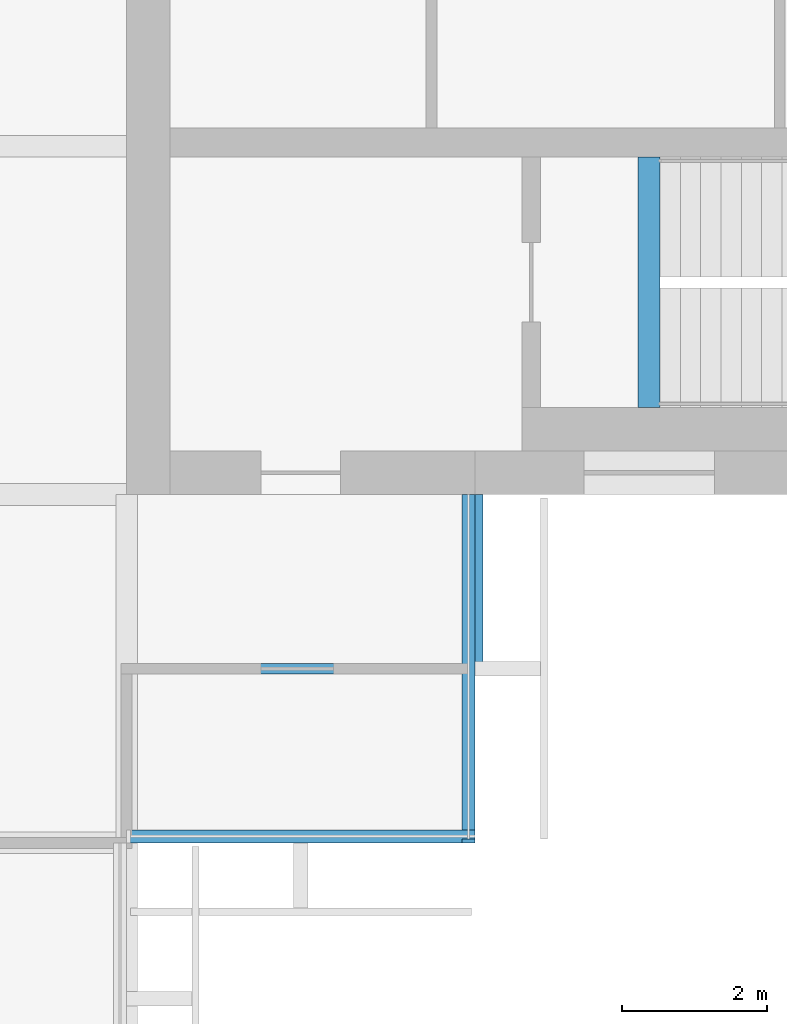
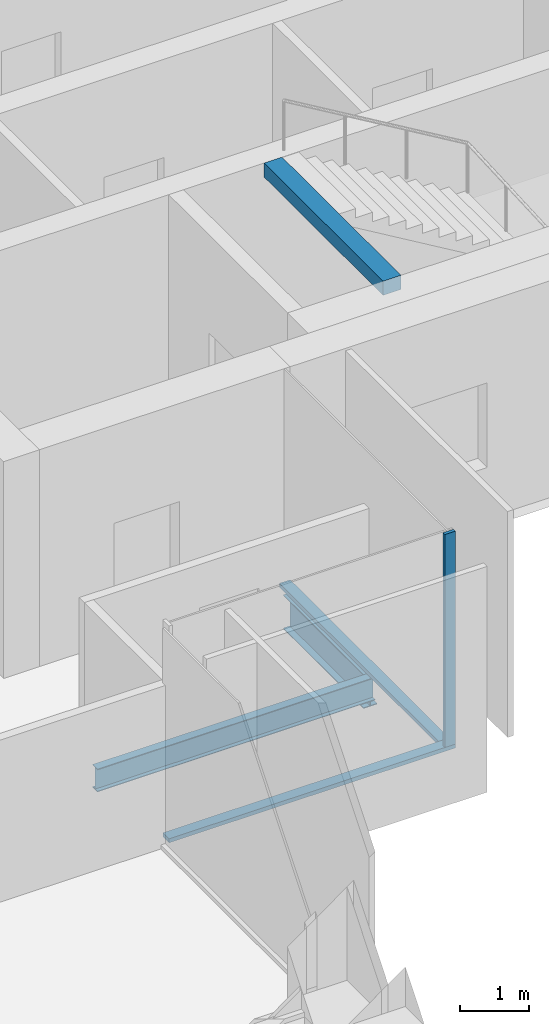
# One storey, part 4 of 12: 3 beams, 3 members, 2 elements without a shape of their own.
"""IFC4 building model written with IfcOpenShell, lengths in metres."""

from ifc_helpers import new_model, si_unit, direction, frame, origin, origin_2d, place, context, subcontext, project, spatial, rectangle, i_section, extrude, material, material_profile, profile_set, type_object, element, aggregate, save


model = new_model("IFC4")

# Units and contexts
model_context = context("Model", 3, precision=1e-05, world=origin(), true_north=direction((0.0, 1.0)))
body_context = subcontext(model_context, "Body", "Model", "MODEL_VIEW")
ifc_project = project(units=[si_unit("LENGTHUNIT", "METRE"), si_unit("AREAUNIT", "SQUARE_METRE"), si_unit("VOLUMEUNIT", "CUBIC_METRE"), si_unit("PLANEANGLEUNIT", "RADIAN"), si_unit("MASSUNIT", "GRAM", prefix="KILO")], contexts=[model_context])

# Site, building, storey
site_placement = place(None, origin())
site = spatial("IfcSite", under=ifc_project, at=site_placement, CompositionType="ELEMENT")
building_placement = place(site_placement, origin())
building = spatial("IfcBuilding", under=site, at=building_placement, Name="Baori Bourse Tower", CompositionType="ELEMENT")
storey_placement = place(building_placement, frame((0.0, 0.0, 306.300048828125)))
storey = spatial("IfcBuildingStorey", under=building, at=storey_placement, Name="L67", CompositionType="ELEMENT", Elevation=306.300048828125)

# Curtain wall, member
ifc_material_1 = material(Name="Pale anodised aluminium", Category="aluminium")
curtain_wall_type = type_object("IfcCurtainWallType", Name="CW2 Curtain wall", PredefinedType="NOTDEFINED", material=ifc_material_1)
curtain_wall_1_placement = place(storey_placement, origin())
curtain_wall_1 = element("IfcCurtainWall", 1, at=curtain_wall_1_placement, inside=storey, type_object=curtain_wall_type, Name="Curtain wall CW2 L67 14", PredefinedType="NOTDEFINED")
ifc_material_2 = material(Name="Pale anodised aluminium", Category="aluminium")
ifc_material_profile_1 = material_profile(ifc_material_2, rectangle(XDim=0.179931640625, YDim=0.054931640625, at=origin_2d()), Name="Mullion 55x180")
ifc_profile_set_1 = profile_set([ifc_material_profile_1], Name="Pale anodised aluminium")
member_type_1 = type_object("IfcMemberType", Name="CW2 Curtain wall mullion", PredefinedType="MULLION", material=ifc_profile_set_1)
member_1_placement = place(storey_placement, frame((43.110107421875, 4.827392578125, 0.070068359375), z_axis=(0.0, 0.0, 1.0), x_axis=(-1.0, 0.0, 0.0)))
member_1 = element("IfcMember", 2, at=member_1_placement, type_object=member_type_1, Name="Curtain wall CW2 mullion", PredefinedType="MULLION", context=body_context, shape_type="SweptSolid", body=[
    extrude(rectangle(XDim=0.179931640625, YDim=0.054931640625, at=origin_2d()), origin(), (0.0, 0.0, 1.0), 3.769775390625),
])

curtain_wall_2_placement = place(storey_placement, origin())
curtain_wall_2 = element("IfcCurtainWall", 3, at=curtain_wall_2_placement, inside=storey, type_object=curtain_wall_type, Name="Curtain wall CW2 L67 13", PredefinedType="NOTDEFINED")
ifc_material_3 = material(Name="Pale anodised aluminium", Category="aluminium")
ifc_material_profile_2 = material_profile(ifc_material_3, rectangle(XDim=0.179931640625, YDim=0.070068359375, at=origin_2d()), Name="Transom 70x180")
ifc_profile_set_2 = profile_set([ifc_material_profile_2], Name="Pale anodised aluminium")
member_type_2 = type_object("IfcMemberType", Name="CW2 Curtain wall transom", PredefinedType="USERDEFINED", material=ifc_profile_set_2)
member_2_placement = place(storey_placement, frame((38.39990234375, 4.889892578125, 0.034912109375), z_axis=(1.0, 0.0, 0.0), x_axis=(0.0, 1.0, 0.0)))
member_2 = element("IfcMember", 4, at=member_2_placement, type_object=member_type_2, Name="Curtain wall CW2 sill rail", ObjectType="TRANSOM", PredefinedType="USERDEFINED", context=body_context, shape_type="SweptSolid", body=[
    extrude(rectangle(XDim=0.179931640625, YDim=0.070068359375, at=origin_2d()), origin(), (0.0, 0.0, 1.0), 4.800048828125),
])
aggregate(curtain_wall_2, [member_2])

# Member
member_3_placement = place(storey_placement, frame((43.110107421875, 4.800048828125, 0.034912109375), z_axis=(0.0, 1.0, 0.0), x_axis=(-1.0, 0.0, 0.0)))
member_3 = element("IfcMember", 5, at=member_3_placement, type_object=member_type_2, Name="Curtain wall CW2 sill rail", ObjectType="TRANSOM", PredefinedType="USERDEFINED", context=body_context, shape_type="SweptSolid", body=[
    extrude(rectangle(XDim=0.179931640625, YDim=0.070068359375, at=origin_2d()), origin(), (0.0, 0.0, 1.0), 4.800048828125),
])

aggregate(curtain_wall_1, [member_3, member_1])

# Beams
ifc_material_4 = material(Name="Steel A992 Gr 50", Category="steel")
ifc_material_profile_3 = material_profile(ifc_material_4, i_section(OverallWidth=0.227783203125, OverallDepth=0.60205078125, WebThickness=0.010498046875, FlangeThickness=0.014892578125, at=origin_2d()), Name="W24x68")
ifc_profile_set_3 = profile_set([ifc_material_profile_3], Name="Steel A992 Gr 50")
beam_type_1 = type_object("IfcBeamType", Name="Core bracket W24x68", PredefinedType="BEAM", material=ifc_profile_set_3)
beam_1_placement = place(storey_placement, frame((43.199951171875, 7.270263671875, -0.4609375), z_axis=(0.0, 1.0, 0.0), x_axis=(-1.0, 0.0, 0.0)))
element("IfcBeam", 6, at=beam_1_placement, inside=storey, type_object=beam_type_1, Name="Core bracket L67", PredefinedType="BEAM", context=body_context, shape_type="SweptSolid", body=[
    extrude(i_section(OverallWidth=0.227783203125, OverallDepth=0.60205078125, WebThickness=0.010498046875, FlangeThickness=0.014892578125, at=origin_2d()), origin(), (0.0, 0.0, 1.0), 2.329833984375),
])
ifc_material_5 = material(Name="Concrete f'c 50 MPa", Category="concrete")
ifc_material_profile_4 = material_profile(ifc_material_5, rectangle(XDim=0.300048828125, YDim=0.25, at=origin_2d()), Name="RC 300x250")
ifc_profile_set_4 = profile_set([ifc_material_profile_4], Name="Concrete f'c 50 MPa")
beam_type_2 = type_object("IfcBeamType", Name="Stair nib beam RC 300x250", PredefinedType="BEAM", material=ifc_profile_set_4)
beam_2_placement = place(storey_placement, frame((45.60009765625, 10.800048828125, 3.71484375), z_axis=(0.0, 1.0, 0.0), x_axis=(-1.0, 0.0, 0.0)))
element("IfcBeam", 7, at=beam_2_placement, inside=storey, type_object=beam_type_2, Name="Stair EA nib beam L68", PredefinedType="BEAM", context=body_context, shape_type="SweptSolid", body=[
    extrude(rectangle(XDim=0.300048828125, YDim=0.25, at=origin_2d()), origin(), (0.0, 0.0, 1.0), 3.449951171875),
])
ifc_material_6 = material(Name="Steel A992 Gr 50", Category="steel")
ifc_material_profile_5 = material_profile(ifc_material_6, i_section(OverallWidth=0.140380859375, OverallDepth=0.40380859375, WebThickness=0.007080078125, FlangeThickness=0.01123046875, at=origin_2d()), Name="W16x31")
ifc_profile_set_5 = profile_set([ifc_material_profile_5], Name="Steel A992 Gr 50")
beam_type_3 = type_object("IfcBeamType", Name="Trimmer beam W16x31", PredefinedType="BEAM", material=ifc_profile_set_5)
beam_3_placement = place(storey_placement, frame((38.546142578125, 7.199951171875, -0.362060546875), z_axis=(1.0, 0.0, 0.0), x_axis=(0.0, 1.0, 0.0)))
element("IfcBeam", 8, at=beam_3_placement, inside=storey, type_object=beam_type_3, Name="Trimmer beam L67", PredefinedType="BEAM", context=body_context, shape_type="SweptSolid", body=[
    extrude(i_section(OverallWidth=0.140380859375, OverallDepth=0.40380859375, WebThickness=0.007080078125, FlangeThickness=0.01123046875, at=origin_2d()), origin(), (0.0, 0.0, 1.0), 4.65380859375),
])

save(model, "model.ifc")
